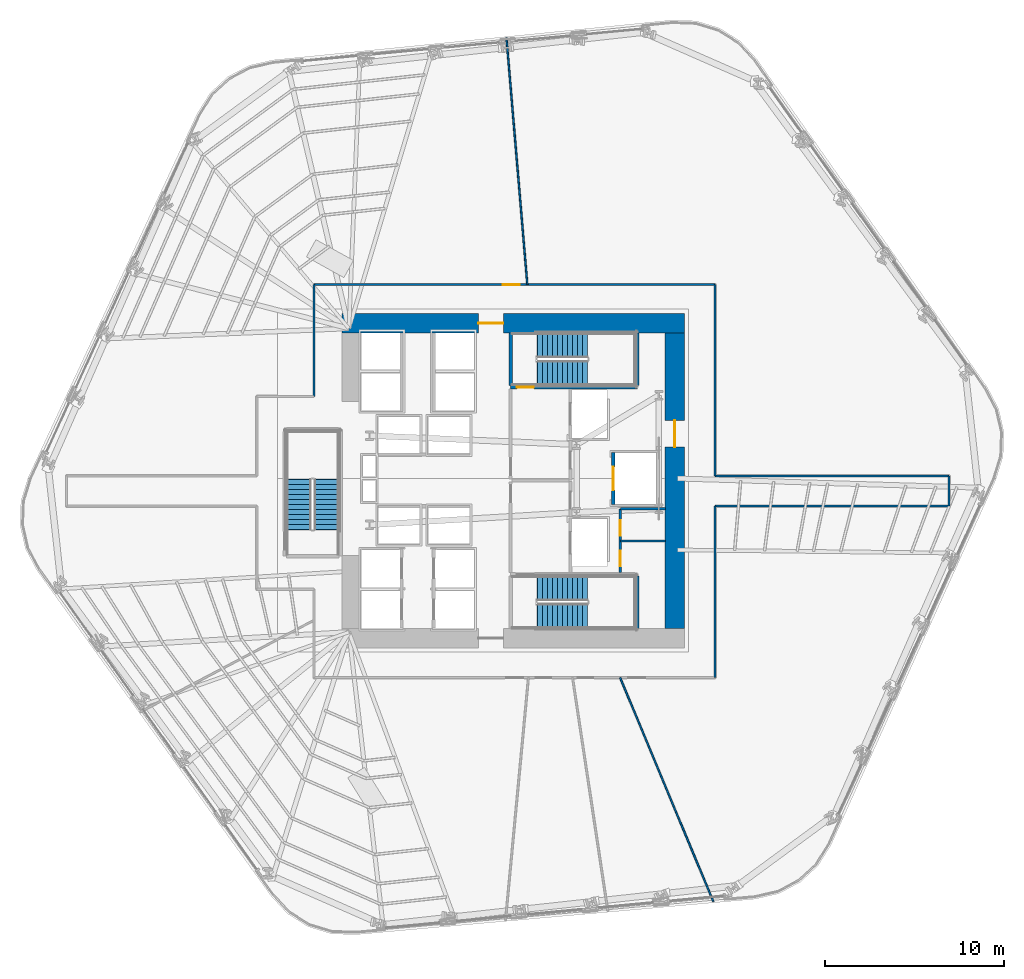
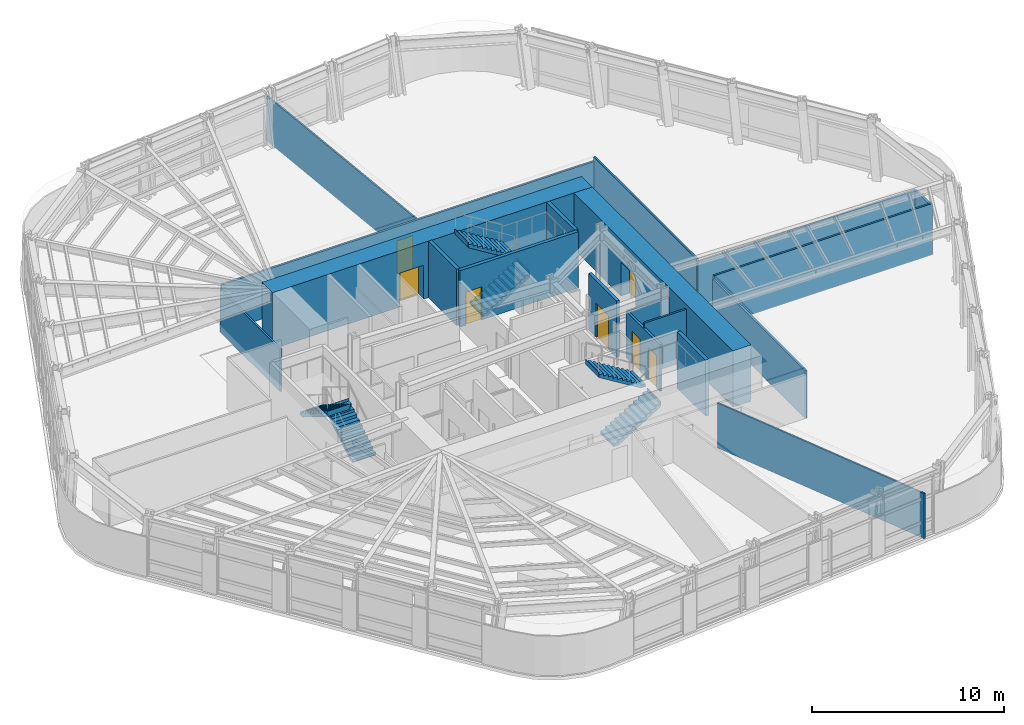
# One storey, part 9 of 16: 19 walls, 7 doors, 6 stair flights, 7 openings, 3 elements without a shape of their own.
"""IFC4 building model written with IfcOpenShell, lengths in metres."""

from ifc_helpers import new_model, si_unit, direction, frame, frame_2d, origin, place, context, subcontext, project, spatial, polyline, rectangle, outline, extrude, material, layer, layer_set, type_object, element, fill, aggregate, save


model = new_model("IFC4")

# Units and contexts
model_context = context("Model", 3, precision=1e-05, world=origin(), true_north=direction((0.0, 1.0)))
body_context = subcontext(model_context, "Body", "Model", "MODEL_VIEW")
ifc_project = project(units=[si_unit("LENGTHUNIT", "METRE"), si_unit("AREAUNIT", "SQUARE_METRE"), si_unit("VOLUMEUNIT", "CUBIC_METRE"), si_unit("PLANEANGLEUNIT", "RADIAN"), si_unit("MASSUNIT", "GRAM", prefix="KILO")], contexts=[model_context])

# Site, building, storey
site_placement = place(None, origin())
site = spatial("IfcSite", under=ifc_project, at=site_placement, CompositionType="ELEMENT")
building_placement = place(site_placement, origin())
building = spatial("IfcBuilding", under=site, at=building_placement, Name="Valkerne Bourse Tower", CompositionType="ELEMENT")
storey_placement = place(building_placement, frame((0.0, 0.0, 46.800048828125)))
storey = spatial("IfcBuildingStorey", under=building, at=storey_placement, Name="L11", CompositionType="ELEMENT", Elevation=46.800048828125)

# Wall, opening, door
ifc_material_1 = material(Name="Concrete C70/85", Category="concrete")
ifc_layer_1 = layer(ifc_material_1, 1.10009765625)
ifc_layer_set_1 = layer_set([ifc_layer_1], Name="Concrete C70/85")
wall_type_1 = type_object("IfcWallType", Name="W-CORE-1100", PredefinedType="SHEAR", material=ifc_layer_set_1)
wall_1_placement = place(storey_placement, frame((37.199951171875, 35.699951171875, 0.0), z_axis=(0.0, 0.0, 1.0), x_axis=(1.0, 0.0, 0.0)))
wall_1 = element("IfcWall", 1, at=wall_1_placement, inside=storey, type_object=wall_type_1, Name="L11 Core Shear Wall NORTH", PredefinedType="SHEAR", context=body_context, shape_type="SweptSolid", body=[
    extrude(rectangle(XDim=19.199951171875, YDim=1.10009765625, at=frame_2d((9.60009765625, 0.0))), origin(), (0.0, 0.0, 1.0), 3.579833984375),
])
opening_1_placement = place(wall_1_placement, frame((7.64990234375, 0.0, 0.0)))
opening_1 = element("IfcOpeningElement", 2, at=opening_1_placement, cuts=wall_1, Name="Opening D-PL-1400", PredefinedType="OPENING", context=body_context, shape_type="SweptSolid", body=[
    extrude(rectangle(XDim=1.39990234375, YDim=2.14990234375, at=frame_2d((0.699951171875, 1.074951171875))), frame((0.0, 0.56005859375, 0.0), z_axis=(0.0, -1.0, 0.0), x_axis=(1.0, 0.0, 0.0)), (0.0, 0.0, 1.0), 1.1201171875),
])
ifc_material_2 = material(Name="Galvanised Painted Steel", Category="steel")
door_type_1 = type_object("IfcDoorType", Name="DR-PLT-1400", OperationType="DOUBLE_DOOR_SINGLE_SWING", PredefinedType="DOOR", material=ifc_material_2)
door_1_placement = place(opening_1_placement, origin())
door_1 = element("IfcDoor", 3, at=door_1_placement, inside=storey, type_object=door_type_1, Name="L11 North Passenger Lift Hall Fire Door", OperationType="DOUBLE_DOOR_SINGLE_SWING", OverallHeight=2.14990234375, OverallWidth=1.39990234375, PredefinedType="DOOR", context=body_context, shape_type="SweptSolid", body=[
    extrude(rectangle(XDim=1.39990234375, YDim=2.14990234375, at=frame_2d((0.699951171875, 1.074951171875))), frame((0.0, 0.02490234375, 0.0), z_axis=(0.0, -1.0, 0.0), x_axis=(1.0, 0.0, 0.0)), (0.0, 0.0, 1.0), 0.050048828125),
])
fill(opening_1, door_1)

wall_2_placement = place(storey_placement, frame((55.85009765625, 18.60009765625, 0.0), z_axis=(0.0, 0.0, 1.0), x_axis=(0.0, 1.0, 0.0)))
wall_2 = element("IfcWall", 4, at=wall_2_placement, inside=storey, type_object=wall_type_1, Name="L11 Core Shear Wall EAST", PredefinedType="SHEAR", context=body_context, shape_type="SweptSolid", body=[
    extrude(rectangle(XDim=16.5498046875, YDim=1.10009765625, at=frame_2d((8.27490234375, 0.0))), origin(), (0.0, 0.0, 1.0), 3.579833984375),
])
opening_2_placement = place(wall_2_placement, frame((10.14990234375, 0.0, 0.0)))
opening_2 = element("IfcOpeningElement", 5, at=opening_2_placement, cuts=wall_2, Name="Opening D-CR-1500", PredefinedType="OPENING", context=body_context, shape_type="SweptSolid", body=[
    extrude(rectangle(XDim=1.5, YDim=2.14990234375, at=frame_2d((0.75, 1.074951171875))), frame((0.0, 0.56005859375, 0.0), z_axis=(0.0, -1.0, 0.0), x_axis=(1.0, 0.0, 0.0)), (0.0, 0.0, 1.0), 1.1201171875),
])
door_type_2 = type_object("IfcDoorType", Name="DR-CORR-1500", OperationType="DOUBLE_DOOR_SINGLE_SWING", PredefinedType="DOOR", material=ifc_material_2)
door_2_placement = place(opening_2_placement, origin())
door_2 = element("IfcDoor", 6, at=door_2_placement, inside=storey, type_object=door_type_2, Name="L11 East Core Service Lobby Fire Door", OperationType="DOUBLE_DOOR_SINGLE_SWING", OverallHeight=2.14990234375, OverallWidth=1.5, PredefinedType="DOOR", context=body_context, shape_type="SweptSolid", body=[
    extrude(rectangle(XDim=1.5, YDim=2.14990234375, at=frame_2d((0.75, 1.074951171875))), frame((0.0, 0.02490234375, 0.0), z_axis=(0.0, -1.0, 0.0), x_axis=(1.0, 0.0, 0.0)), (0.0, 0.0, 1.0), 0.050048828125),
])
fill(opening_2, door_2)

# Walls
ifc_material_3 = material(Name="Gypsum Board Steel-Stud Partition", Category="steel")
ifc_layer_2 = layer(ifc_material_3, 0.117919921875)
ifc_layer_set_2 = layer_set([ifc_layer_2], Name="Gypsum Board Steel-Stud Partition")
wall_type_2 = type_object("IfcWallType", Name="W-CORR-140", PredefinedType="PARTITIONING", material=ifc_layer_set_2)
wall_3_placement = place(storey_placement, frame((52.800048828125, 23.510009765625, 0.0), z_axis=(0.0, 0.0, 1.0), x_axis=(1.0, 0.0, 0.0)))
element("IfcWall", 7, at=wall_3_placement, inside=storey, type_object=wall_type_2, Name="L11 Core SE Dual Divider", PredefinedType="PARTITIONING", context=body_context, shape_type="SweptSolid", body=[
    extrude(rectangle(XDim=2.52001953125, YDim=0.117919921875, at=frame_2d((1.260009765625, 0.0))), origin(), (0.0, 0.0, 1.0), 3.280029296875),
])
wall_4_placement = place(storey_placement, frame((58.10009765625, 27.14990234375, 0.0), z_axis=(0.0, 0.0, 1.0), x_axis=(1.0, 0.0, 0.0)))
element("IfcWall", 8, at=wall_4_placement, inside=storey, type_object=wall_type_2, Name="L11 Corridor Enclosure Wall", PredefinedType="PARTITIONING", context=body_context, shape_type="SweptSolid", body=[
    extrude(rectangle(XDim=13.099853515625, YDim=0.117919921875, at=frame_2d((6.5498046875, 0.0))), origin(), (0.0, 0.0, 1.0), 3.107666015625),
])
wall_5_placement = place(storey_placement, frame((71.199951171875, 27.14990234375, 0.0), z_axis=(0.0, 0.0, 1.0), x_axis=(0.0, -1.0, 0.0)))
element("IfcWall", 9, at=wall_5_placement, inside=storey, type_object=wall_type_2, Name="L11 Corridor Enclosure Wall", PredefinedType="PARTITIONING", context=body_context, shape_type="SweptSolid", body=[
    extrude(rectangle(XDim=1.699951171875, YDim=0.117919921875, at=frame_2d((0.85009765625, 0.0))), origin(), (0.0, 0.0, 1.0), 3.107666015625),
])
wall_6_placement = place(storey_placement, frame((71.199951171875, 25.449951171875, 0.0), z_axis=(0.0, 0.0, 1.0), x_axis=(-1.0, 0.0, 0.0)))
element("IfcWall", 10, at=wall_6_placement, inside=storey, type_object=wall_type_2, Name="L11 Corridor Enclosure Wall", PredefinedType="PARTITIONING", context=body_context, shape_type="SweptSolid", body=[
    extrude(rectangle(XDim=13.099853515625, YDim=0.117919921875, at=frame_2d((6.5498046875, 0.0))), origin(), (0.0, 0.0, 1.0), 3.260009765625),
])
wall_7_placement = place(storey_placement, frame((58.10009765625, 25.449951171875, 0.0), z_axis=(0.0, 0.0, 1.0), x_axis=(0.0, -1.0, 0.0)))
element("IfcWall", 11, at=wall_7_placement, inside=storey, type_object=wall_type_2, Name="L11 Corridor Enclosure Wall", PredefinedType="PARTITIONING", context=body_context, shape_type="SweptSolid", body=[
    extrude(rectangle(XDim=9.599853515625, YDim=0.117919921875, at=frame_2d((4.7998046875, 0.0))), origin(), (0.0, 0.0, 1.0), 3.03662109375),
])
wall_8_placement = place(storey_placement, frame((35.64990234375, 31.60009765625, 0.0), z_axis=(0.0, 0.0, 1.0), x_axis=(0.0, 1.0, 0.0)))
element("IfcWall", 12, at=wall_8_placement, inside=storey, type_object=wall_type_2, Name="L11 Corridor Enclosure Wall", PredefinedType="PARTITIONING", context=body_context, shape_type="SweptSolid", body=[
    extrude(rectangle(XDim=6.25, YDim=0.117919921875, at=frame_2d((3.125, 0.0))), origin(), (0.0, 0.0, 1.0), 2.71142578125),
])

# Wall, opening, door
wall_9_placement = place(storey_placement, frame((35.64990234375, 37.85009765625, 0.0), z_axis=(0.0, 0.0, 1.0), x_axis=(1.0, 0.0, 0.0)))
wall_9 = element("IfcWall", 13, at=wall_9_placement, inside=storey, type_object=wall_type_2, Name="L11 Corridor Enclosure Wall", PredefinedType="PARTITIONING", context=body_context, shape_type="SweptSolid", body=[
    extrude(rectangle(XDim=22.4501953125, YDim=0.117919921875, at=frame_2d((11.22509765625, 0.0))), origin(), (0.0, 0.0, 1.0), 3.021240234375),
])
opening_3_placement = place(wall_9_placement, frame((10.570068359375, 0.0, 0.0)))
opening_3 = element("IfcOpeningElement", 14, at=opening_3_placement, cuts=wall_9, Name="Opening D-OF-950", PredefinedType="OPENING", context=body_context, shape_type="SweptSolid", body=[
    extrude(rectangle(XDim=0.949951171875, YDim=2.10009765625, at=frame_2d((0.47509765625, 1.050048828125))), frame((0.0, 0.06884765625, 0.0), z_axis=(0.0, -1.0, 0.0), x_axis=(1.0, 0.0, 0.0)), (0.0, 0.0, 1.0), 0.137939453125),
])
ifc_material_4 = material(Name="Architectural White Oak Timber", Category="wood")
door_type_3 = type_object("IfcDoorType", Name="DR-OFF-950", OperationType="NOTDEFINED", PredefinedType="DOOR", material=ifc_material_4)
door_3_placement = place(opening_3_placement, origin())
door_3 = element("IfcDoor", 15, at=door_3_placement, inside=storey, type_object=door_type_3, Name="L11 L11 Executive Economics Study Room 4 Door", OperationType="SINGLE_SWING_RIGHT", OverallHeight=2.10009765625, OverallWidth=0.949951171875, PredefinedType="DOOR", context=body_context, shape_type="SweptSolid", body=[
    extrude(rectangle(XDim=0.949951171875, YDim=2.10009765625, at=frame_2d((0.47509765625, 1.050048828125))), frame((0.0, 0.02490234375, 0.0), z_axis=(0.0, -1.0, 0.0), x_axis=(1.0, 0.0, 0.0)), (0.0, 0.0, 1.0), 0.050048828125),
])
fill(opening_3, door_3)

# Wall
wall_10_placement = place(storey_placement, frame((58.10009765625, 37.85009765625, 0.0), z_axis=(0.0, 0.0, 1.0), x_axis=(0.0, -1.0, 0.0)))
element("IfcWall", 16, at=wall_10_placement, inside=storey, type_object=wall_type_2, Name="L11 Corridor Enclosure Wall", PredefinedType="PARTITIONING", context=body_context, shape_type="SweptSolid", body=[
    extrude(rectangle(XDim=10.7001953125, YDim=0.117919921875, at=frame_2d((5.35009765625, 0.0))), origin(), (0.0, 0.0, 1.0), 3.280029296875),
])

# Wall, opening, door
ifc_material_5 = material(Name="CMU Blockwork Masonry 200mm", Category="masonry")
ifc_layer_3 = layer(ifc_material_5, 0.179931640625)
ifc_layer_set_3 = layer_set([ifc_layer_3], Name="CMU Blockwork Masonry 200mm")
wall_type_3 = type_object("IfcWallType", Name="W-LFT-180", PredefinedType="SOLIDWALL", material=ifc_layer_set_3)
wall_11_placement = place(storey_placement, frame((52.39990234375, 25.550048828125, 0.0), z_axis=(0.0, 0.0, 1.0), x_axis=(0.0, 1.0, 0.0)))
wall_11 = element("IfcWall", 17, at=wall_11_placement, inside=storey, type_object=wall_type_3, Name="L11 Service Lift SV-1 Front Wall", PredefinedType="SOLIDWALL", context=body_context, shape_type="SweptSolid", body=[
    extrude(rectangle(XDim=2.89990234375, YDim=0.179931640625, at=frame_2d((1.449951171875, 0.0))), origin(), (0.0, 0.0, 1.0), 3.579833984375),
])
opening_4_placement = place(wall_11_placement, frame((0.800048828125, 0.0, 0.0)))
opening_4 = element("IfcOpeningElement", 18, at=opening_4_placement, cuts=wall_11, Name="Opening LD-1300", PredefinedType="OPENING", context=body_context, shape_type="SweptSolid", body=[
    extrude(rectangle(XDim=1.300048828125, YDim=2.14990234375, at=frame_2d((0.64990234375, 1.074951171875))), frame((0.0, 0.099853515625, 0.0), z_axis=(0.0, -1.0, 0.0), x_axis=(1.0, 0.0, 0.0)), (0.0, 0.0, 1.0), 0.199951171875),
])
ifc_material_6 = material(Name="Stainless Steel AISI 316", Category="steel")
door_type_4 = type_object("IfcDoorType", Name="DR-LIFT-1300", OperationType="DOUBLE_DOOR_SLIDING", PredefinedType="DOOR", material=ifc_material_6)
door_4_placement = place(opening_4_placement, origin())
door_4 = element("IfcDoor", 19, at=door_4_placement, inside=storey, type_object=door_type_4, Name="L11 Service Lift SV-1 Landing Door", OperationType="DOUBLE_DOOR_SLIDING", OverallHeight=2.14990234375, OverallWidth=1.300048828125, PredefinedType="DOOR", context=body_context, shape_type="SweptSolid", body=[
    extrude(rectangle(XDim=1.300048828125, YDim=2.14990234375, at=frame_2d((0.64990234375, 1.074951171875))), frame((0.0, 0.02490234375, 0.0), z_axis=(0.0, -1.0, 0.0), x_axis=(1.0, 0.0, 0.0)), (0.0, 0.0, 1.0), 0.050048828125),
])
fill(opening_4, door_4)

# Walls
ifc_layer_4 = layer(ifc_material_3, 0.092041015625)
ifc_layer_set_4 = layer_set([ifc_layer_4], Name="Gypsum Board Steel-Stud Partition")
wall_type_4 = type_object("IfcWallType", Name="W-PART-115", PredefinedType="PARTITIONING", material=ifc_layer_set_4)
wall_12_placement = place(storey_placement, frame((52.785400390625, 15.844970703125, 0.0), z_axis=(0.0, 0.0, 1.0), x_axis=(0.38430625893, -0.923205664707, 0.0)))
element("IfcWall", 20, at=wall_12_placement, inside=storey, type_object=wall_type_4, Name="L11 Suite Partition P03", PredefinedType="PARTITIONING", context=body_context, shape_type="SweptSolid", body=[
    extrude(rectangle(XDim=13.572021484375, YDim=0.092041015625, at=frame_2d((6.7861328125, 0.0))), origin(), (0.0, 0.0, 1.0), 2.86376953125),
])
wall_13_placement = place(storey_placement, frame((47.589111328125, 37.85498046875, 0.0), z_axis=(0.0, 0.0, 1.0), x_axis=(-0.084278313161, 0.996442254188, 0.0)))
element("IfcWall", 21, at=wall_13_placement, inside=storey, type_object=wall_type_4, Name="L11 Suite Partition P04", PredefinedType="PARTITIONING", context=body_context, shape_type="SweptSolid", body=[
    extrude(rectangle(XDim=13.8642578125, YDim=0.092041015625, at=frame_2d((6.93212890625, 0.0))), origin(), (0.0, 0.0, 1.0), 2.86376953125),
])
ifc_material_7 = material(Name="Concrete C40/50", Category="concrete")
ifc_layer_5 = layer(ifc_material_7, 0.199951171875)
ifc_layer_set_5 = layer_set([ifc_layer_5], Name="Concrete C40/50")
wall_type_5 = type_object("IfcWallType", Name="W-SHF-200", PredefinedType="SHEAR", material=ifc_layer_set_5)
wall_14_placement = place(storey_placement, frame((53.75, 18.60009765625, 0.0), z_axis=(0.0, 0.0, 1.0), x_axis=(0.0, 1.0, 0.0)))
element("IfcWall", 22, at=wall_14_placement, inside=storey, type_object=wall_type_5, Name="L11 Exit Stair ST-1 Structural Shaft Wall East", PredefinedType="SHEAR", context=body_context, shape_type="SweptSolid", body=[
    extrude(rectangle(XDim=2.949951171875, YDim=0.199951171875, at=frame_2d((1.47509765625, 0.0))), origin(), (0.0, 0.0, 1.0), 3.579833984375),
])

# Wall, opening, door
wall_15_placement = place(storey_placement, frame((46.64990234375, 32.10009765625, 0.0), z_axis=(0.0, 0.0, 1.0), x_axis=(1.0, 0.0, 0.0)))
wall_15 = element("IfcWall", 23, at=wall_15_placement, inside=storey, type_object=wall_type_5, Name="L11 Exit Stair ST-2 Structural Shaft Wall South", PredefinedType="SHEAR", context=body_context, shape_type="SweptSolid", body=[
    extrude(rectangle(XDim=7.10009765625, YDim=0.199951171875, at=frame_2d((3.550048828125, 0.0))), origin(), (0.0, 0.0, 1.0), 3.579833984375),
])
opening_5_placement = place(wall_15_placement, frame((0.35009765625, 0.0, 0.0)))
opening_5 = element("IfcOpeningElement", 24, at=opening_5_placement, cuts=wall_15, Name="Opening D-ST-950", PredefinedType="OPENING", context=body_context, shape_type="SweptSolid", body=[
    extrude(rectangle(XDim=0.949951171875, YDim=2.10009765625, at=frame_2d((0.47509765625, 1.050048828125))), frame((0.0, 0.10986328125, 0.0), z_axis=(0.0, -1.0, 0.0), x_axis=(1.0, 0.0, 0.0)), (0.0, 0.0, 1.0), 0.219970703125),
])
door_type_5 = type_object("IfcDoorType", Name="DR-STAIR-950", OperationType="NOTDEFINED", PredefinedType="DOOR", material=ifc_material_2)
door_5_placement = place(opening_5_placement, origin())
door_5 = element("IfcDoor", 25, at=door_5_placement, inside=storey, type_object=door_type_5, Name="L11 Exit Stair ST-2 Door", OperationType="SINGLE_SWING_RIGHT", OverallHeight=2.10009765625, OverallWidth=0.949951171875, PredefinedType="DOOR", context=body_context, shape_type="SweptSolid", body=[
    extrude(rectangle(XDim=0.949951171875, YDim=2.10009765625, at=frame_2d((0.47509765625, 1.050048828125))), frame((0.0, 0.02490234375, 0.0), z_axis=(0.0, -1.0, 0.0), x_axis=(1.0, 0.0, 0.0)), (0.0, 0.0, 1.0), 0.050048828125),
])
fill(opening_5, door_5)

# Walls
for number, where, z_axis, x_axis, name in (
    (26, (46.64990234375, 32.199951171875, 0.0), (0.0, 0.0, 1.0), (0.0, 1.0, 0.0), "L11 Exit Stair ST-2 Structural Shaft Wall West"),
    (27, (53.75, 32.199951171875, 0.0), (0.0, 0.0, 1.0), (0.0, 1.0, 0.0), "L11 Exit Stair ST-2 Structural Shaft Wall East"),
):
    element("IfcWall", number, at=place(storey_placement, frame(where, z_axis=z_axis, x_axis=x_axis)), inside=storey, type_object=wall_type_5, Name=name, PredefinedType="SHEAR", context=body_context, shape_type="SweptSolid", body=[
        extrude(rectangle(XDim=2.949951171875, YDim=0.199951171875, at=frame_2d((1.47509765625, 0.0))), origin(), (0.0, 0.0, 1.0), 3.579833984375),
    ])

# Wall, openings, doors
ifc_material_8 = material(Name="Moisture-Resistant Gypsum Partition", Category="gypsum")
ifc_layer_6 = layer(ifc_material_8, 0.139892578125)
ifc_layer_set_6 = layer_set([ifc_layer_6], Name="Moisture-Resistant Gypsum Partition")
wall_type_6 = type_object("IfcWallType", Name="W-WET-140", PredefinedType="PARTITIONING", material=ifc_layer_set_6)
wall_16_placement = place(storey_placement, frame((52.800048828125, 21.75, 0.0), z_axis=(0.0, 0.0, 1.0), x_axis=(0.0, 1.0, 0.0)))
wall_16 = element("IfcWall", 28, at=wall_16_placement, inside=storey, type_object=wall_type_6, Name="L11 Core SE Dual West Wall", PredefinedType="PARTITIONING", context=body_context, shape_type="SweptSolid", body=[
    extrude(rectangle(XDim=3.550048828125, YDim=0.139892578125, at=frame_2d((1.77490234375, 0.0))), origin(), (0.0, 0.0, 1.0), 2.9580078125),
])
opening_6_placement = place(wall_16_placement, frame((0.35009765625, 0.0, 0.0)))
opening_6 = element("IfcOpeningElement", 29, at=opening_6_placement, cuts=wall_16, Name="Opening D-WC-900", PredefinedType="OPENING", context=body_context, shape_type="SweptSolid", body=[
    extrude(rectangle(XDim=0.860107421875, YDim=2.050048828125, at=frame_2d((0.43017578125, 1.02490234375))), frame((0.0, 0.079833984375, 0.0), z_axis=(0.0, -1.0, 0.0), x_axis=(1.0, 0.0, 0.0)), (0.0, 0.0, 1.0), 0.159912109375),
])
opening_7_placement = place(wall_16_placement, frame((2.050048828125, 0.0, 0.0)))
opening_7 = element("IfcOpeningElement", 30, at=opening_7_placement, cuts=wall_16, Name="Opening D-WC-900", PredefinedType="OPENING", context=body_context, shape_type="SweptSolid", body=[
    extrude(rectangle(XDim=0.860107421875, YDim=2.050048828125, at=frame_2d((0.43017578125, 1.02490234375))), frame((0.0, 0.079833984375, 0.0), z_axis=(0.0, -1.0, 0.0), x_axis=(1.0, 0.0, 0.0)), (0.0, 0.0, 1.0), 0.159912109375),
])
door_type_6 = type_object("IfcDoorType", Name="DR-WC-900", OperationType="NOTDEFINED", PredefinedType="DOOR", material=ifc_material_4)
door_6_placement = place(opening_6_placement, origin())
door_6 = element("IfcDoor", 31, at=door_6_placement, inside=storey, type_object=door_type_6, Name="L11 Linen Store Door", OperationType="SINGLE_SWING_LEFT", OverallHeight=2.050048828125, OverallWidth=0.860107421875, PredefinedType="DOOR", context=body_context, shape_type="SweptSolid", body=[
    extrude(rectangle(XDim=0.860107421875, YDim=2.050048828125, at=frame_2d((0.43017578125, 1.02490234375))), frame((0.0, 0.02490234375, 0.0), z_axis=(0.0, -1.0, 0.0), x_axis=(1.0, 0.0, 0.0)), (0.0, 0.0, 1.0), 0.050048828125),
])
fill(opening_6, door_6)
door_7_placement = place(opening_7_placement, origin())
door_7 = element("IfcDoor", 32, at=door_7_placement, inside=storey, type_object=door_type_6, Name="L11 Espresso Kitchen Door", OperationType="SINGLE_SWING_LEFT", OverallHeight=2.050048828125, OverallWidth=0.860107421875, PredefinedType="DOOR", context=body_context, shape_type="SweptSolid", body=[
    extrude(rectangle(XDim=0.860107421875, YDim=2.050048828125, at=frame_2d((0.43017578125, 1.02490234375))), frame((0.0, 0.02490234375, 0.0), z_axis=(0.0, -1.0, 0.0), x_axis=(1.0, 0.0, 0.0)), (0.0, 0.0, 1.0), 0.050048828125),
])
fill(opening_7, door_7)

# Wall
wall_17_placement = place(storey_placement, frame((52.800048828125, 25.300048828125, 0.0), z_axis=(0.0, 0.0, 1.0), x_axis=(1.0, 0.0, 0.0)))
element("IfcWall", 33, at=wall_17_placement, inside=storey, type_object=wall_type_6, Name="L11 Core SE Dual North Wall", PredefinedType="PARTITIONING", context=body_context, shape_type="SweptSolid", body=[
    extrude(rectangle(XDim=2.52001953125, YDim=0.139892578125, at=frame_2d((1.260009765625, 0.0))), origin(), (0.0, 0.0, 1.0), 2.9580078125),
])

# Stair, stair flights
stair_type = type_object("IfcStairType", Name="ST-CORE-1400", PredefinedType="HALF_TURN_STAIR", material=ifc_material_7)
stair_1_placement = place(storey_placement, origin())
stair_1 = element("IfcStair", 34, at=stair_1_placement, inside=storey, type_object=stair_type, Name="L11 ST-1", PredefinedType="HALF_TURN_STAIR")
stair_flight_type = type_object("IfcStairFlightType", Name="STF-CORE-1400", PredefinedType="STRAIGHT", material=ifc_material_7)
stair_flight_1_placement = place(storey_placement, frame((48.14990234375, 19.300048828125, 0.0), z_axis=(0.0, 0.0, 1.0), x_axis=(1.0, 0.0, 0.0)))
stair_flight_1 = element("IfcStairFlight", 35, at=stair_flight_1_placement, type_object=stair_flight_type, Name="ST-1 flight 1", NumberOfRisers=11, NumberOfTreads=10, PredefinedType="STRAIGHT", RiserHeight=0.172727273, TreadLength=0.28, context=body_context, shape_type="SweptSolid", body=[
    extrude(outline(polyline([(-0.02001953125, 0.0), (-0.02001953125, 0.044921875), (0.0, 0.044921875), (0.0, 0.172607421875), (0.280029296875, 0.172607421875), (0.280029296875, 0.345458984375), (0.56005859375, 0.345458984375), (0.56005859375, 0.51806640625), (0.840087890625, 0.51806640625), (0.840087890625, 0.69091796875), (1.1201171875, 0.69091796875), (1.1201171875, 0.863525390625), (1.39990234375, 0.863525390625), (1.39990234375, 1.036376953125), (1.679931640625, 1.036376953125), (1.679931640625, 1.208984375), (1.9599609375, 1.208984375), (1.9599609375, 1.3818359375), (2.239990234375, 1.3818359375), (2.239990234375, 1.554443359375), (2.52001953125, 1.554443359375), (2.52001953125, 1.727294921875), (2.800048828125, 1.727294921875), (2.800048828125, 1.89990234375), (2.820068359375, 1.89990234375), (2.820068359375, 1.780029296875), (2.800048828125, 1.551025390625), (0.285400390625, 0.0), (-0.02001953125, 0.0)])), frame((0.0, 0.699951171875, 0.0), z_axis=(0.0, -1.0, 0.0), x_axis=(1.0, 0.0, 0.0)), (0.0, 0.0, 1.0), 1.39990234375),
])
stair_flight_2_placement = place(storey_placement, frame((50.949951171875, 20.85009765625, 1.89990234375), z_axis=(0.0, 0.0, 1.0), x_axis=(-1.0, 0.0, 0.0)))
stair_flight_2 = element("IfcStairFlight", 36, at=stair_flight_2_placement, type_object=stair_flight_type, Name="ST-1 flight 2", NumberOfRisers=11, NumberOfTreads=10, PredefinedType="STRAIGHT", RiserHeight=0.172727273, TreadLength=0.28, context=body_context, shape_type="SweptSolid", body=[
    extrude(outline(polyline([(-0.02001953125, 0.0), (-0.02001953125, 0.044921875), (0.0, 0.044921875), (0.0, 0.172607421875), (0.280029296875, 0.172607421875), (0.280029296875, 0.345458984375), (0.56005859375, 0.345458984375), (0.56005859375, 0.51806640625), (0.840087890625, 0.51806640625), (0.840087890625, 0.69091796875), (1.1201171875, 0.69091796875), (1.1201171875, 0.863525390625), (1.39990234375, 0.863525390625), (1.39990234375, 1.036376953125), (1.679931640625, 1.036376953125), (1.679931640625, 1.208984375), (1.9599609375, 1.208984375), (1.9599609375, 1.3818359375), (2.239990234375, 1.3818359375), (2.239990234375, 1.554443359375), (2.52001953125, 1.554443359375), (2.52001953125, 1.727294921875), (2.800048828125, 1.727294921875), (2.800048828125, 1.89990234375), (2.820068359375, 1.89990234375), (2.820068359375, 1.780029296875), (2.800048828125, 1.551025390625), (0.285400390625, 0.0), (-0.02001953125, 0.0)])), frame((0.0, 0.699951171875, 0.0), z_axis=(0.0, -1.0, 0.0), x_axis=(1.0, 0.0, 0.0)), (0.0, 0.0, 1.0), 1.39990234375),
])
aggregate(stair_1, [stair_flight_1, stair_flight_2])

stair_2_placement = place(storey_placement, origin())
stair_2 = element("IfcStair", 37, at=stair_2_placement, inside=storey, type_object=stair_type, Name="L11 ST-2", PredefinedType="HALF_TURN_STAIR")
stair_flight_3_placement = place(storey_placement, frame((48.14990234375, 32.89990234375, 0.0), z_axis=(0.0, 0.0, 1.0), x_axis=(1.0, 0.0, 0.0)))
stair_flight_3 = element("IfcStairFlight", 38, at=stair_flight_3_placement, type_object=stair_flight_type, Name="ST-2 flight 1", NumberOfRisers=11, NumberOfTreads=10, PredefinedType="STRAIGHT", RiserHeight=0.172727273, TreadLength=0.28, context=body_context, shape_type="SweptSolid", body=[
    extrude(outline(polyline([(-0.02001953125, 0.0), (-0.02001953125, 0.044921875), (0.0, 0.044921875), (0.0, 0.172607421875), (0.280029296875, 0.172607421875), (0.280029296875, 0.345458984375), (0.56005859375, 0.345458984375), (0.56005859375, 0.51806640625), (0.840087890625, 0.51806640625), (0.840087890625, 0.69091796875), (1.1201171875, 0.69091796875), (1.1201171875, 0.863525390625), (1.39990234375, 0.863525390625), (1.39990234375, 1.036376953125), (1.679931640625, 1.036376953125), (1.679931640625, 1.208984375), (1.9599609375, 1.208984375), (1.9599609375, 1.3818359375), (2.239990234375, 1.3818359375), (2.239990234375, 1.554443359375), (2.52001953125, 1.554443359375), (2.52001953125, 1.727294921875), (2.800048828125, 1.727294921875), (2.800048828125, 1.89990234375), (2.820068359375, 1.89990234375), (2.820068359375, 1.780029296875), (2.800048828125, 1.551025390625), (0.285400390625, 0.0), (-0.02001953125, 0.0)])), frame((0.0, 0.699951171875, 0.0), z_axis=(0.0, -1.0, 0.0), x_axis=(1.0, 0.0, 0.0)), (0.0, 0.0, 1.0), 1.39990234375),
])
stair_flight_4_placement = place(storey_placement, frame((50.949951171875, 34.449951171875, 1.89990234375), z_axis=(0.0, 0.0, 1.0), x_axis=(-1.0, 0.0, 0.0)))
stair_flight_4 = element("IfcStairFlight", 39, at=stair_flight_4_placement, type_object=stair_flight_type, Name="ST-2 flight 2", NumberOfRisers=11, NumberOfTreads=10, PredefinedType="STRAIGHT", RiserHeight=0.172727273, TreadLength=0.28, context=body_context, shape_type="SweptSolid", body=[
    extrude(outline(polyline([(-0.02001953125, 0.0), (-0.02001953125, 0.044921875), (0.0, 0.044921875), (0.0, 0.172607421875), (0.280029296875, 0.172607421875), (0.280029296875, 0.345458984375), (0.56005859375, 0.345458984375), (0.56005859375, 0.51806640625), (0.840087890625, 0.51806640625), (0.840087890625, 0.69091796875), (1.1201171875, 0.69091796875), (1.1201171875, 0.863525390625), (1.39990234375, 0.863525390625), (1.39990234375, 1.036376953125), (1.679931640625, 1.036376953125), (1.679931640625, 1.208984375), (1.9599609375, 1.208984375), (1.9599609375, 1.3818359375), (2.239990234375, 1.3818359375), (2.239990234375, 1.554443359375), (2.52001953125, 1.554443359375), (2.52001953125, 1.727294921875), (2.800048828125, 1.727294921875), (2.800048828125, 1.89990234375), (2.820068359375, 1.89990234375), (2.820068359375, 1.780029296875), (2.800048828125, 1.551025390625), (0.285400390625, 0.0), (-0.02001953125, 0.0)])), frame((0.0, 0.699951171875, 0.0), z_axis=(0.0, -1.0, 0.0), x_axis=(1.0, 0.0, 0.0)), (0.0, 0.0, 1.0), 1.39990234375),
])
aggregate(stair_2, [stair_flight_3, stair_flight_4])

stair_3_placement = place(storey_placement, origin())
stair_3 = element("IfcStair", 40, at=stair_3_placement, inside=storey, type_object=stair_type, Name="L11 ST-3", PredefinedType="HALF_TURN_STAIR")
stair_flight_5_placement = place(storey_placement, frame((36.35009765625, 24.14990234375, 0.0), z_axis=(0.0, 0.0, 1.0), x_axis=(0.0, 1.0, 0.0)))
stair_flight_5 = element("IfcStairFlight", 41, at=stair_flight_5_placement, type_object=stair_flight_type, Name="ST-3 flight 1", NumberOfRisers=11, NumberOfTreads=10, PredefinedType="STRAIGHT", RiserHeight=0.172727273, TreadLength=0.28, context=body_context, shape_type="SweptSolid", body=[
    extrude(outline(polyline([(-0.02001953125, 0.0), (-0.02001953125, 0.044921875), (0.0, 0.044921875), (0.0, 0.172607421875), (0.280029296875, 0.172607421875), (0.280029296875, 0.345458984375), (0.56005859375, 0.345458984375), (0.56005859375, 0.51806640625), (0.840087890625, 0.51806640625), (0.840087890625, 0.69091796875), (1.1201171875, 0.69091796875), (1.1201171875, 0.863525390625), (1.39990234375, 0.863525390625), (1.39990234375, 1.036376953125), (1.679931640625, 1.036376953125), (1.679931640625, 1.208984375), (1.9599609375, 1.208984375), (1.9599609375, 1.3818359375), (2.239990234375, 1.3818359375), (2.239990234375, 1.554443359375), (2.52001953125, 1.554443359375), (2.52001953125, 1.727294921875), (2.800048828125, 1.727294921875), (2.800048828125, 1.89990234375), (2.820068359375, 1.89990234375), (2.820068359375, 1.780029296875), (2.800048828125, 1.551025390625), (0.285400390625, 0.0), (-0.02001953125, 0.0)])), frame((0.0, 0.699951171875, 0.0), z_axis=(0.0, -1.0, 0.0), x_axis=(1.0, 0.0, 0.0)), (0.0, 0.0, 1.0), 1.39990234375),
])
stair_flight_6_placement = place(storey_placement, frame((34.800048828125, 26.949951171875, 1.89990234375), z_axis=(0.0, 0.0, 1.0), x_axis=(0.0, -1.0, 0.0)))
stair_flight_6 = element("IfcStairFlight", 42, at=stair_flight_6_placement, type_object=stair_flight_type, Name="ST-3 flight 2", NumberOfRisers=11, NumberOfTreads=10, PredefinedType="STRAIGHT", RiserHeight=0.172727273, TreadLength=0.28, context=body_context, shape_type="SweptSolid", body=[
    extrude(outline(polyline([(-0.02001953125, 0.0), (-0.02001953125, 0.044921875), (0.0, 0.044921875), (0.0, 0.172607421875), (0.280029296875, 0.172607421875), (0.280029296875, 0.345458984375), (0.56005859375, 0.345458984375), (0.56005859375, 0.51806640625), (0.840087890625, 0.51806640625), (0.840087890625, 0.69091796875), (1.1201171875, 0.69091796875), (1.1201171875, 0.863525390625), (1.39990234375, 0.863525390625), (1.39990234375, 1.036376953125), (1.679931640625, 1.036376953125), (1.679931640625, 1.208984375), (1.9599609375, 1.208984375), (1.9599609375, 1.3818359375), (2.239990234375, 1.3818359375), (2.239990234375, 1.554443359375), (2.52001953125, 1.554443359375), (2.52001953125, 1.727294921875), (2.800048828125, 1.727294921875), (2.800048828125, 1.89990234375), (2.820068359375, 1.89990234375), (2.820068359375, 1.780029296875), (2.800048828125, 1.551025390625), (0.285400390625, 0.0), (-0.02001953125, 0.0)])), frame((0.0, 0.699951171875, 0.0), z_axis=(0.0, -1.0, 0.0), x_axis=(1.0, 0.0, 0.0)), (0.0, 0.0, 1.0), 1.39990234375),
])
aggregate(stair_3, [stair_flight_5, stair_flight_6])

save(model, "model.ifc")
